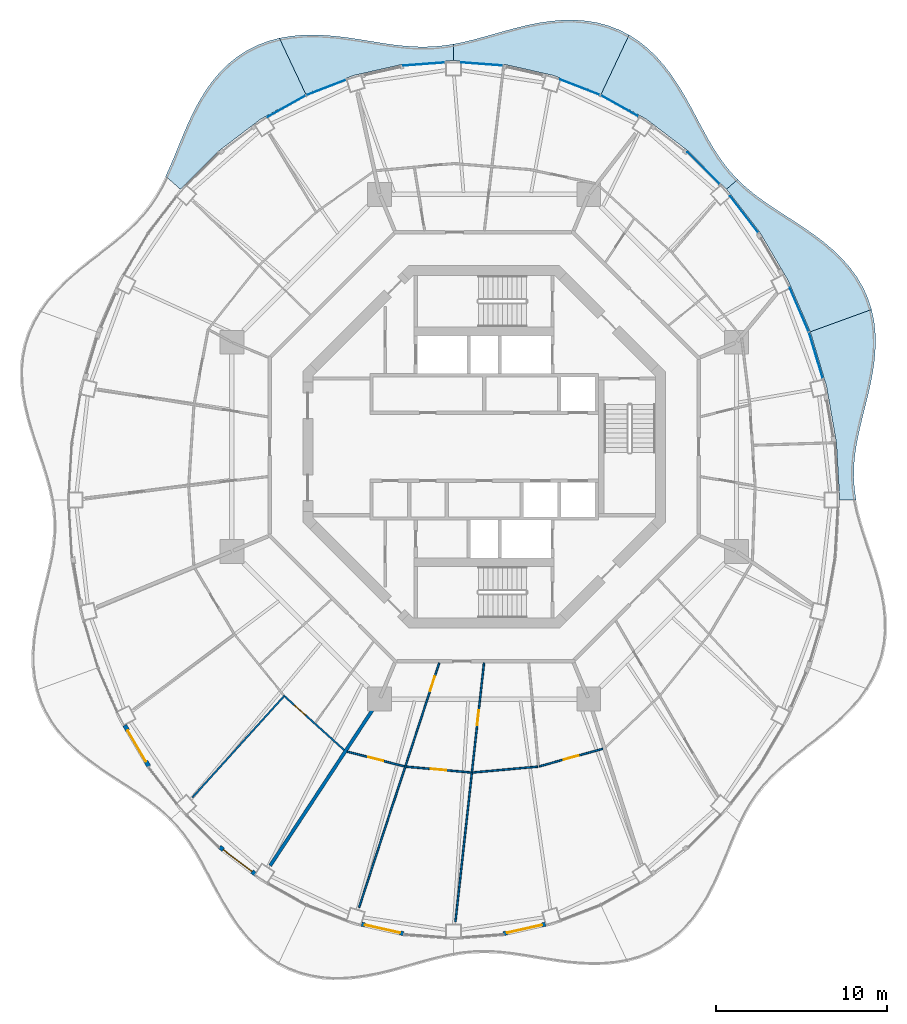
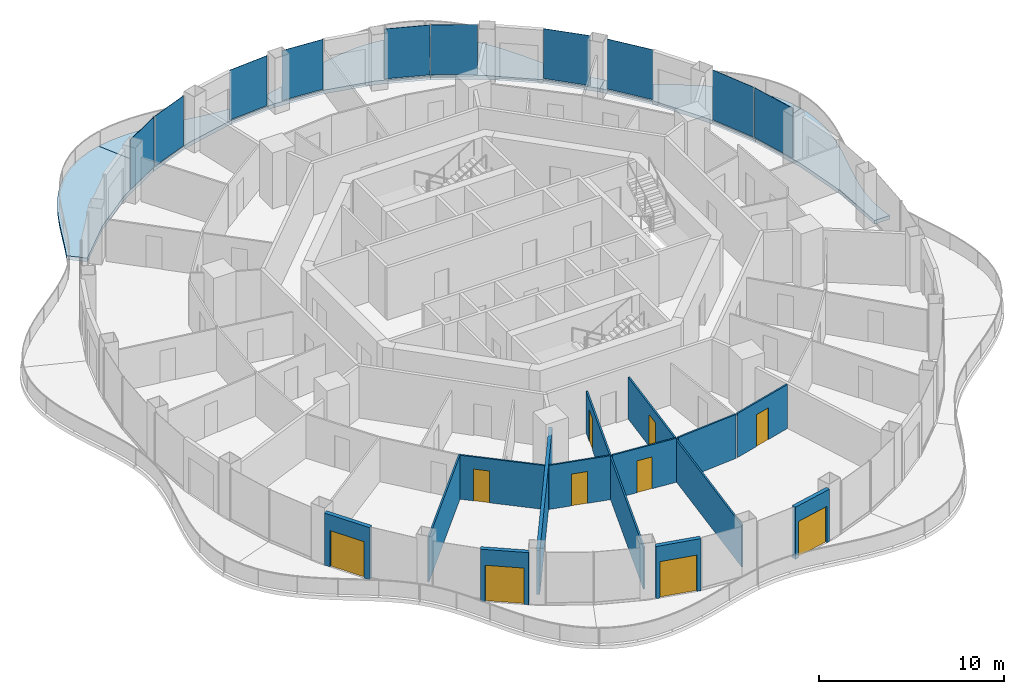
# One storey, part 9 of 17: 13 walls, 10 doors, 10 plates, 6 slabs, 10 openings, 10 elements without a shape of their own.
"""IFC4 building model written with IfcOpenShell, lengths in metres."""

from ifc_helpers import new_model, si_unit, direction, frame, frame_2d, origin, origin_2d, place, context, subcontext, project, spatial, polyline, rectangle, outline, extrude, material, layer, layer_set, type_object, element, fill, aggregate, save


model = new_model("IFC4")

# Units and contexts
model_context = context("Model", 3, precision=1e-05, world=origin(), true_north=direction((0.0, 1.0)))
body_context = subcontext(model_context, "Body", "Model", "MODEL_VIEW")
ifc_project = project(units=[si_unit("LENGTHUNIT", "METRE"), si_unit("AREAUNIT", "SQUARE_METRE"), si_unit("VOLUMEUNIT", "CUBIC_METRE"), si_unit("PLANEANGLEUNIT", "RADIAN"), si_unit("MASSUNIT", "GRAM", prefix="KILO")], contexts=[model_context])

# Site, building, storey
site_placement = place(None, origin())
site = spatial("IfcSite", under=ifc_project, at=site_placement, CompositionType="ELEMENT")
building_placement = place(site_placement, origin())
building = spatial("IfcBuilding", under=site, at=building_placement, Name="Nagisa Residences", CompositionType="ELEMENT")
storey_placement = place(building_placement, frame((0.0, 0.0, 288.10009765625)))
storey = spatial("IfcBuildingStorey", under=building, at=storey_placement, Name="L73", CompositionType="ELEMENT", Elevation=288.10009765625)

# Slabs
ifc_material_1 = material(Name="Concrete C40/50", Category="concrete")
ifc_layer_1 = layer(ifc_material_1, 0.25)
ifc_layer_set_1 = layer_set([ifc_layer_1], Name="BALCONY SLAB 250")
slab_type = type_object("IfcSlabType", Name="BALCONY SLAB 250", PredefinedType="FLOOR", material=ifc_layer_set_1)
slab_1_placement = place(storey_placement, frame((0.0, 0.0, -0.25)))
element("IfcSlab", 1, at=slab_1_placement, inside=storey, type_object=slab_type, Name="slab:L73:bal00", PredefinedType="FLOOR", context=body_context, shape_type="SweptSolid", body=[
    extrude(outline(polyline([(21.779296875, -3.11767578125), (21.686279296875, -2.470947265625), (21.64306640625, -1.8251953125), (21.650146484375, -1.177001953125), (21.70556640625, -0.522705078125), (21.804443359375, 0.141357421875), (21.939453125, 0.8173828125), (22.1005859375, 1.50732421875), (22.276123046875, 2.211181640625), (22.45361328125, 2.9287109375), (22.61962890625, 3.65771484375), (22.76025390625, 4.395263671875), (22.86279296875, 5.136962890625), (22.915771484375, 5.878173828125), (22.908935546875, 6.61279296875), (22.834228515625, 7.3349609375), (22.686767578125, 8.038818359375), (19.09814453125, 6.732666015625), (20.04931640625, 3.544189453125), (20.62646484375, 0.241943359375), (20.820068359375, -3.11767578125), (21.779296875, -3.11767578125)])), origin(), (0.0, 0.0, 1.0), 0.25),
])
slab_2_placement = place(storey_placement, frame((0.0, 0.0, -0.25)))
element("IfcSlab", 2, at=slab_2_placement, inside=storey, type_object=slab_type, Name="slab:L73:bal01", PredefinedType="FLOOR", context=body_context, shape_type="SweptSolid", body=[
    extrude(outline(polyline([(22.686767578125, 8.038818359375), (22.4716796875, 8.6982421875), (22.185791015625, 9.33056640625), (21.831787109375, 9.932373046875), (21.41455078125, 10.50146484375), (20.941162109375, 11.036376953125), (20.419921875, 11.537353515625), (19.861572265625, 12.00634765625), (19.276611328125, 12.44677734375), (18.67626953125, 12.86279296875), (18.07177734375, 13.26025390625), (17.4736328125, 13.64599609375), (16.890869140625, 14.027099609375), (16.331298828125, 14.4111328125), (15.80126953125, 14.8056640625), (15.30419921875, 15.21728515625), (14.84228515625, 15.65234375), (14.19482421875, 15.083251953125), (16.145751953125, 12.5517578125), (17.78955078125, 9.752197265625), (19.09814453125, 6.732666015625), (22.686767578125, 8.038818359375)])), origin(), (0.0, 0.0, 1.0), 0.25),
])
slab_3_placement = place(storey_placement, frame((0.0, 0.0, -0.25)))
element("IfcSlab", 3, at=slab_3_placement, inside=storey, type_object=slab_type, Name="slab:L73:bal02", PredefinedType="FLOOR", context=body_context, shape_type="SweptSolid", body=[
    extrude(outline(polyline([(14.84228515625, 15.65234375), (14.433837890625, 16.0927734375), (14.054443359375, 16.5615234375), (13.700439453125, 17.06005859375), (13.365966796875, 17.58740234375), (13.045166015625, 18.14208984375), (12.73095703125, 18.72021484375), (12.415283203125, 19.316650390625), (12.0908203125, 19.924072265625), (11.75, 20.534912109375), (11.385986328125, 21.139892578125), (10.993408203125, 21.729736328125), (10.567138671875, 22.294189453125), (10.10400390625, 22.823974609375), (9.6025390625, 23.309814453125), (9.0625, 23.74365234375), (8.485107421875, 24.11865234375), (6.856201171875, 20.6630859375), (9.510009765625, 19.173828125), (11.97021484375, 17.30322265625), (14.19482421875, 15.083251953125), (14.84228515625, 15.65234375)])), origin(), (0.0, 0.0, 1.0), 0.25),
])
slab_4_placement = place(storey_placement, frame((0.0, 0.0, -0.25)))
element("IfcSlab", 4, at=slab_4_placement, inside=storey, type_object=slab_type, Name="slab:L73:bal03", PredefinedType="FLOOR", context=body_context, shape_type="SweptSolid", body=[
    extrude(outline(polyline([(8.485107421875, 24.11865234375), (7.89599609375, 24.41943359375), (7.2783203125, 24.65771484375), (6.63671875, 24.832275390625), (5.97607421875, 24.943603515625), (5.302001953125, 24.99462890625), (4.6201171875, 24.9892578125), (3.935791015625, 24.93359375), (3.253662109375, 24.83447265625), (2.57861328125, 24.700927734375), (1.91357421875, 24.5419921875), (1.26123046875, 24.367431640625), (0.623046875, 24.186767578125), (-0.0009765625, 24.009765625), (-0.611572265625, 23.844970703125), (-1.210205078125, 23.7001953125), (-1.800048828125, 23.58154296875), (-1.800048828125, 22.622314453125), (1.152587890625, 22.402099609375), (4.054443359375, 21.745361328125), (6.856201171875, 20.6630859375), (8.485107421875, 24.11865234375)])), origin(), (0.0, 0.0, 1.0), 0.25),
])
slab_5_placement = place(storey_placement, frame((0.0, 0.0, -0.25)))
element("IfcSlab", 5, at=slab_5_placement, inside=storey, type_object=slab_type, Name="slab:L73:bal04", PredefinedType="FLOOR", context=body_context, shape_type="SweptSolid", body=[
    extrude(outline(polyline([(-1.800048828125, 23.58154296875), (-2.3837890625, 23.49365234375), (-2.965576171875, 23.439697265625), (-3.549072265625, 23.420166015625), (-4.137939453125, 23.434326171875), (-4.73583984375, 23.479248046875), (-5.344970703125, 23.55029296875), (-5.968017578125, 23.640625), (-6.60546875, 23.743408203125), (-7.25732421875, 23.849609375), (-7.922607421875, 23.9501953125), (-8.598876953125, 24.03564453125), (-9.28271484375, 24.096435546875), (-9.9697265625, 24.1240234375), (-10.655029296875, 24.110107421875), (-11.332763671875, 24.048095703125), (-11.997314453125, 23.93212890625), (-10.456298828125, 20.6630859375), (-7.654541015625, 21.745361328125), (-4.75244140625, 22.402099609375), (-1.800048828125, 22.622314453125), (-1.800048828125, 23.58154296875)])), origin(), (0.0, 0.0, 1.0), 0.25),
])
slab_6_placement = place(storey_placement, frame((0.0, 0.0, -0.25)))
element("IfcSlab", 6, at=slab_6_placement, inside=storey, type_object=slab_type, Name="slab:L73:bal05", PredefinedType="FLOOR", context=body_context, shape_type="SweptSolid", body=[
    extrude(outline(polyline([(-11.997314453125, 23.93212890625), (-12.666259765625, 23.751220703125), (-13.30810546875, 23.505615234375), (-13.91748046875, 23.1953125), (-14.489501953125, 22.822021484375), (-15.0205078125, 22.389404296875), (-15.5087890625, 21.902587890625), (-15.953857421875, 21.36865234375), (-16.356689453125, 20.795166015625), (-16.719970703125, 20.19140625), (-17.048095703125, 19.566162109375), (-17.346923828125, 18.9287109375), (-17.622802734375, 18.2880859375), (-17.8837890625, 17.652587890625), (-18.1376953125, 17.029052734375), (-18.392822265625, 16.423828125), (-18.6572265625, 15.84130859375), (-17.794677734375, 15.083251953125), (-15.570068359375, 17.30322265625), (-13.110107421875, 19.173828125), (-10.456298828125, 20.6630859375), (-11.997314453125, 23.93212890625)])), origin(), (0.0, 0.0, 1.0), 0.25),
])

# Curtain wall, plate
ifc_material_2 = material(Name="Concrete-coloured aluminium curtain wall system", Category="concrete")
ifc_layer_2 = layer(ifc_material_2, 0.159912109375)
ifc_layer_set_2 = layer_set([ifc_layer_2], Name="CW1 CURTAIN WALL")
curtain_wall_type = type_object("IfcCurtainWallType", Name="CW1 CURTAIN WALL", PredefinedType="NOTDEFINED", material=ifc_layer_set_2)
curtain_wall_1_placement = place(storey_placement, origin())
curtain_wall_1 = element("IfcCurtainWall", 7, at=curtain_wall_1_placement, inside=storey, type_object=curtain_wall_type, Name="cw:CW1:L73:02", PredefinedType="NOTDEFINED")
ifc_material_3 = material(Name="Clear laminated glass", Category="glass")
ifc_layer_3 = layer(ifc_material_3, 0.028076171875)
ifc_layer_set_3 = layer_set([ifc_layer_3], Name="CW1 GLASS PANEL")
plate_type = type_object("IfcPlateType", Name="CW1 GLASS PANEL", PredefinedType="CURTAIN_PANEL", material=ifc_layer_set_3)
plate_1_placement = place(storey_placement, frame((19.424072265625, 5.35986328125, 0.14990234375), z_axis=(0.0, 0.0, 1.0), x_axis=(-0.285860274038, 0.958271310082, 0.0)))
plate_1 = element("IfcPlate", 8, at=plate_1_placement, type_object=plate_type, Name="CW1 panel", PredefinedType="CURTAIN_PANEL", context=body_context, shape_type="SweptSolid", body=[
    extrude(rectangle(XDim=2.817138671875, YDim=0.028076171875, at=origin_2d()), origin(), (0.0, 0.0, 1.0), 3.2900390625),
])
aggregate(curtain_wall_1, [plate_1])

curtain_wall_2_placement = place(storey_placement, origin())
curtain_wall_2 = element("IfcCurtainWall", 9, at=curtain_wall_2_placement, inside=storey, type_object=curtain_wall_type, Name="cw:CW1:L73:03", PredefinedType="NOTDEFINED")
plate_2_placement = place(storey_placement, frame((18.447998046875, 8.03173828125, 0.14990234375), z_axis=(0.0, 0.0, 1.0), x_axis=(-0.397635934147, 0.917543276295, 0.0)))
plate_2 = element("IfcPlate", 10, at=plate_2_placement, type_object=plate_type, Name="CW1 panel", PredefinedType="CURTAIN_PANEL", context=body_context, shape_type="SweptSolid", body=[
    extrude(rectangle(XDim=2.781005859375, YDim=0.028076171875, at=origin_2d()), origin(), (0.0, 0.0, 1.0), 3.2900390625),
])
aggregate(curtain_wall_2, [plate_2])

curtain_wall_3_placement = place(storey_placement, origin())
curtain_wall_3 = element("IfcCurtainWall", 11, at=curtain_wall_3_placement, inside=storey, type_object=curtain_wall_type, Name="cw:CW1:L73:05", PredefinedType="NOTDEFINED")
plate_3_placement = place(storey_placement, frame((15.225830078125, 13.6142578125, 0.14990234375), z_axis=(0.0, 0.0, 1.0), x_axis=(-0.610429828235, 0.792070340816, 0.0)))
plate_3 = element("IfcPlate", 12, at=plate_3_placement, type_object=plate_type, Name="CW1 panel", PredefinedType="CURTAIN_PANEL", context=body_context, shape_type="SweptSolid", body=[
    extrude(rectangle(XDim=2.68603515625, YDim=0.028076171875, at=origin_2d()), origin(), (0.0, 0.0, 1.0), 3.2900390625),
])
aggregate(curtain_wall_3, [plate_3])

curtain_wall_4_placement = place(storey_placement, origin())
curtain_wall_4 = element("IfcCurtainWall", 13, at=curtain_wall_4_placement, inside=storey, type_object=curtain_wall_type, Name="cw:CW1:L73:06", PredefinedType="NOTDEFINED")
plate_4_placement = place(storey_placement, frame((12.845458984375, 16.316650390625, 0.14990234375), z_axis=(0.0, 0.0, 1.0), x_axis=(-0.707835924016, 0.706376885714, 0.0)))
plate_4 = element("IfcPlate", 14, at=plate_4_placement, type_object=plate_type, Name="CW1 panel", PredefinedType="CURTAIN_PANEL", context=body_context, shape_type="SweptSolid", body=[
    extrude(rectangle(XDim=2.6328125, YDim=0.028076171875, at=origin_2d()), origin(), (0.0, 0.0, 1.0), 3.2900390625),
])
aggregate(curtain_wall_4, [plate_4])

curtain_wall_5_placement = place(storey_placement, origin())
curtain_wall_5 = element("IfcCurtainWall", 15, at=curtain_wall_5_placement, inside=storey, type_object=curtain_wall_type, Name="cw:CW1:L73:08", PredefinedType="NOTDEFINED")
plate_5_placement = place(storey_placement, frame((7.921630859375, 19.973388671875, 0.14990234375), z_axis=(0.0, 0.0, 1.0), x_axis=(-0.872072377523, 0.489376918501, 0.0)))
plate_5 = element("IfcPlate", 16, at=plate_5_placement, type_object=plate_type, Name="CW1 panel", PredefinedType="CURTAIN_PANEL", context=body_context, shape_type="SweptSolid", body=[
    extrude(rectangle(XDim=2.532958984375, YDim=0.028076171875, at=origin_2d()), origin(), (0.0, 0.0, 1.0), 3.2900390625),
])
aggregate(curtain_wall_5, [plate_5])

curtain_wall_6_placement = place(storey_placement, origin())
curtain_wall_6 = element("IfcCurtainWall", 17, at=curtain_wall_6_placement, inside=storey, type_object=curtain_wall_type, Name="cw:CW1:L73:09", PredefinedType="NOTDEFINED")
plate_6_placement = place(storey_placement, frame((5.6083984375, 21.059326171875, 0.14990234375), z_axis=(0.0, 0.0, 1.0), x_axis=(-0.932825759707, 0.360327770268, 0.0)))
plate_6 = element("IfcPlate", 18, at=plate_6_placement, type_object=plate_type, Name="CW1 panel", PredefinedType="CURTAIN_PANEL", context=body_context, shape_type="SweptSolid", body=[
    extrude(rectangle(XDim=2.49365234375, YDim=0.028076171875, at=origin_2d()), origin(), (0.0, 0.0, 1.0), 3.2900390625),
])
aggregate(curtain_wall_6, [plate_6])

curtain_wall_7_placement = place(storey_placement, origin())
curtain_wall_7 = element("IfcCurtainWall", 19, at=curtain_wall_7_placement, inside=storey, type_object=curtain_wall_type, Name="cw:CW1:L73:11", PredefinedType="NOTDEFINED")
plate_7_placement = place(storey_placement, frame((-0.13525390625, 22.41796875, 0.14990234375), z_axis=(0.0, 0.0, 1.0), x_axis=(-0.997230168512, 0.074377355493, 0.0)))
plate_7 = element("IfcPlate", 20, at=plate_7_placement, type_object=plate_type, Name="CW1 panel", PredefinedType="CURTAIN_PANEL", context=body_context, shape_type="SweptSolid", body=[
    extrude(rectangle(XDim=2.45068359375, YDim=0.028076171875, at=origin_2d()), origin(), (0.0, 0.0, 1.0), 3.2900390625),
])
aggregate(curtain_wall_7, [plate_7])

curtain_wall_8_placement = place(storey_placement, origin())
curtain_wall_8 = element("IfcCurtainWall", 21, at=curtain_wall_8_placement, inside=storey, type_object=curtain_wall_type, Name="cw:CW1:L73:12", PredefinedType="NOTDEFINED")
plate_8_placement = place(storey_placement, frame((-3.524658203125, 22.41357421875, 0.14990234375), z_axis=(0.0, 0.0, 1.0), x_axis=(-0.997230168512, -0.074377355493, 0.0)))
plate_8 = element("IfcPlate", 22, at=plate_8_placement, type_object=plate_type, Name="CW1 panel", PredefinedType="CURTAIN_PANEL", context=body_context, shape_type="SweptSolid", body=[
    extrude(rectangle(XDim=2.45068359375, YDim=0.028076171875, at=origin_2d()), origin(), (0.0, 0.0, 1.0), 3.2900390625),
])
aggregate(curtain_wall_8, [plate_8])

curtain_wall_9_placement = place(storey_placement, origin())
curtain_wall_9 = element("IfcCurtainWall", 23, at=curtain_wall_9_placement, inside=storey, type_object=curtain_wall_type, Name="cw:CW1:L73:14", PredefinedType="NOTDEFINED")
plate_9_placement = place(storey_placement, frame((-9.264404296875, 21.03759765625, 0.14990234375), z_axis=(0.0, 0.0, 1.0), x_axis=(-0.932825759707, -0.360327770268, 0.0)))
plate_9 = element("IfcPlate", 24, at=plate_9_placement, type_object=plate_type, Name="CW1 panel", PredefinedType="CURTAIN_PANEL", context=body_context, shape_type="SweptSolid", body=[
    extrude(rectangle(XDim=2.49365234375, YDim=0.028076171875, at=origin_2d()), origin(), (0.0, 0.0, 1.0), 3.2900390625),
])
aggregate(curtain_wall_9, [plate_9])

curtain_wall_10_placement = place(storey_placement, origin())
curtain_wall_10 = element("IfcCurtainWall", 25, at=curtain_wall_10_placement, inside=storey, type_object=curtain_wall_type, Name="cw:CW1:L73:15", PredefinedType="NOTDEFINED")
plate_10_placement = place(storey_placement, frame((-11.573974609375, 19.944091796875, 0.14990234375), z_axis=(0.0, 0.0, 1.0), x_axis=(-0.872072377523, -0.489376918501, 0.0)))
plate_10 = element("IfcPlate", 26, at=plate_10_placement, type_object=plate_type, Name="CW1 panel", PredefinedType="CURTAIN_PANEL", context=body_context, shape_type="SweptSolid", body=[
    extrude(rectangle(XDim=2.532958984375, YDim=0.028076171875, at=origin_2d()), origin(), (0.0, 0.0, 1.0), 3.2900390625),
])
aggregate(curtain_wall_10, [plate_10])

# Walls
ifc_material_4 = material(Name="Gypsum board on steel studs", Category="steel")
ifc_layer_4 = layer(ifc_material_4, 0.199951171875)
ifc_layer_set_4 = layer_set([ifc_layer_4], Name="Apartment compartment wall EI60 200")
wall_type_1 = type_object("IfcWallType", Name="Apartment compartment wall EI60 200", PredefinedType="PARTITIONING", material=ifc_layer_set_4)
wall_1_placement = place(storey_placement, frame((-6.150634765625, -14.82373046875, 0.0), z_axis=(0.0, 0.0, 1.0), x_axis=(-0.549345577828, -0.835595258556, 0.0)))
element("IfcWall", 27, at=wall_1_placement, inside=storey, type_object=wall_type_1, Name="wall:L73:u09", PredefinedType="PARTITIONING", context=body_context, shape_type="SweptSolid", body=[
    extrude(rectangle(XDim=11.619873046875, YDim=0.199951171875, at=frame_2d((5.81005859375, 0.0))), origin(), (0.0, 0.0, 1.0), 2.90478515625),
])
ifc_material_5 = material(Name="Gypsum board on steel studs", Category="steel")
ifc_layer_5 = layer(ifc_material_5, 0.10009765625)
ifc_layer_set_5 = layer_set([ifc_layer_5], Name="Apartment partition 100")
wall_type_2 = type_object("IfcWallType", Name="Apartment partition 100", PredefinedType="PARTITIONING", material=ifc_layer_set_5)
wall_2_placement = place(storey_placement, frame((-11.67919921875, -14.55712890625, 0.0), z_axis=(0.0, 0.0, 1.0), x_axis=(-0.670800011545, -0.741638284146, 0.0)))
element("IfcWall", 28, at=wall_2_placement, inside=storey, type_object=wall_type_2, Name="wall:L73:u54", PredefinedType="PARTITIONING", context=body_context, shape_type="SweptSolid", body=[
    extrude(rectangle(XDim=8.068115234375, YDim=0.10009765625, at=frame_2d((4.0341796875, 0.0))), origin(), (0.0, 0.0, 1.0), 2.90478515625),
])

# Wall, opening, door
wall_3_placement = place(storey_placement, frame((-11.675537109375, -14.627685546875, 0.0), z_axis=(0.0, 0.0, 1.0), x_axis=(0.74245829867, -0.669892285921, 0.0)))
wall_3 = element("IfcWall", 29, at=wall_3_placement, inside=storey, type_object=wall_type_2, Name="wall:L73:u55", PredefinedType="PARTITIONING", context=body_context, shape_type="SweptSolid", body=[
    extrude(rectangle(XDim=4.679931640625, YDim=0.10009765625, at=frame_2d((2.33984375, 0.0))), origin(), (0.0, 0.0, 1.0), 2.90478515625),
])
opening_1_placement = place(wall_3_placement, frame((0.732421875, 0.0, 0.0)))
opening_1 = element("IfcOpeningElement", 30, at=opening_1_placement, cuts=wall_3, Name="Opening L73-U06", PredefinedType="OPENING", context=body_context, shape_type="SweptSolid", body=[
    extrude(rectangle(XDim=0.89990234375, YDim=2.10009765625, at=frame_2d((0.449951171875, 1.050048828125))), frame((0.0, 0.06005859375, 0.0), z_axis=(0.0, -1.0, 0.0), x_axis=(1.0, 0.0, 0.0)), (0.0, 0.0, 1.0), 0.1201171875),
])
ifc_material_6 = material(Name="Timber door set", Category="wood")
door_type_1 = type_object("IfcDoorType", Name="Apartment door 900x2100", OperationType="NOTDEFINED", PredefinedType="DOOR", material=ifc_material_6)
door_1_placement = place(opening_1_placement, frame((0.89990234375, 0.0, 0.0), x_axis=(-1.0, 0.0, 0.0)))
door_1 = element("IfcDoor", 31, at=door_1_placement, inside=storey, type_object=door_type_1, Name="Door to living room, Apartment 73A", OperationType="SINGLE_SWING_LEFT", OverallHeight=2.10009765625, OverallWidth=0.89990234375, PredefinedType="DOOR", context=body_context, shape_type="SweptSolid", body=[
    extrude(rectangle(XDim=0.89990234375, YDim=2.10009765625, at=frame_2d((0.449951171875, 1.050048828125))), frame((0.0, 0.02490234375, 0.0), z_axis=(0.0, -1.0, 0.0), x_axis=(1.0, 0.0, 0.0)), (0.0, 0.0, 1.0), 0.050048828125),
])
fill(opening_1, door_1)

wall_4_placement = place(storey_placement, frame((-8.02978515625, -17.8544921875, 0.0), z_axis=(0.0, 0.0, 1.0), x_axis=(0.968441967324, -0.249239154077, 0.0)))
wall_4 = element("IfcWall", 32, at=wall_4_placement, inside=storey, type_object=wall_type_2, Name="wall:L73:u57", PredefinedType="PARTITIONING", context=body_context, shape_type="SweptSolid", body=[
    extrude(rectangle(XDim=3.467529296875, YDim=0.10009765625, at=frame_2d((1.73388671875, 0.0))), origin(), (0.0, 0.0, 1.0), 2.90478515625),
])
opening_2_placement = place(wall_4_placement, frame((1.28369140625, 0.0, 0.0)))
opening_2 = element("IfcOpeningElement", 33, at=opening_2_placement, cuts=wall_4, Name="Opening L73-U11", PredefinedType="OPENING", context=body_context, shape_type="SweptSolid", body=[
    extrude(rectangle(XDim=0.89990234375, YDim=2.10009765625, at=frame_2d((0.449951171875, 1.050048828125))), frame((0.0, 0.06005859375, 0.0), z_axis=(0.0, -1.0, 0.0), x_axis=(1.0, 0.0, 0.0)), (0.0, 0.0, 1.0), 0.1201171875),
])
door_2_placement = place(opening_2_placement, frame((0.89990234375, 0.0, 0.0), x_axis=(-1.0, 0.0, 0.0)))
door_2 = element("IfcDoor", 34, at=door_2_placement, inside=storey, type_object=door_type_1, Name="Door to kitchen, Apartment 73B", OperationType="SINGLE_SWING_RIGHT", OverallHeight=2.10009765625, OverallWidth=0.89990234375, PredefinedType="DOOR", context=body_context, shape_type="SweptSolid", body=[
    extrude(rectangle(XDim=0.89990234375, YDim=2.10009765625, at=frame_2d((0.449951171875, 1.050048828125))), frame((0.0, 0.02490234375, 0.0), z_axis=(0.0, -1.0, 0.0), x_axis=(1.0, 0.0, 0.0)), (0.0, 0.0, 1.0), 0.050048828125),
])
fill(opening_2, door_2)

wall_5_placement = place(storey_placement, frame((-2.63330078125, -12.65966796875, 0.0), z_axis=(0.0, 0.0, 1.0), x_axis=(-0.311432955908, -0.950268127412, 0.0)))
wall_5 = element("IfcWall", 35, at=wall_5_placement, inside=storey, type_object=wall_type_2, Name="wall:L73:u58", PredefinedType="PARTITIONING", context=body_context, shape_type="SweptSolid", body=[
    extrude(rectangle(XDim=15.07421875, YDim=0.10009765625, at=frame_2d((7.537109375, 0.0))), origin(), (0.0, 0.0, 1.0), 2.761962890625),
])
opening_3_placement = place(wall_5_placement, frame((0.828857421875, 0.0, 0.0)))
opening_3 = element("IfcOpeningElement", 36, at=opening_3_placement, cuts=wall_5, Name="Opening L73-U08", PredefinedType="OPENING", context=body_context, shape_type="SweptSolid", body=[
    extrude(rectangle(XDim=0.89990234375, YDim=2.10009765625, at=frame_2d((0.449951171875, 1.050048828125))), frame((0.0, 0.06005859375, 0.0), z_axis=(0.0, -1.0, 0.0), x_axis=(1.0, 0.0, 0.0)), (0.0, 0.0, 1.0), 0.1201171875),
])
door_3_placement = place(opening_3_placement, frame((0.89990234375, 0.0, 0.0), x_axis=(-1.0, 0.0, 0.0)))
door_3 = element("IfcDoor", 37, at=door_3_placement, inside=storey, type_object=door_type_1, Name="Door to store, Apartment 73B", OperationType="SINGLE_SWING_LEFT", OverallHeight=2.10009765625, OverallWidth=0.89990234375, PredefinedType="DOOR", context=body_context, shape_type="SweptSolid", body=[
    extrude(rectangle(XDim=0.89990234375, YDim=2.10009765625, at=frame_2d((0.449951171875, 1.050048828125))), frame((0.0, 0.02490234375, 0.0), z_axis=(0.0, -1.0, 0.0), x_axis=(1.0, 0.0, 0.0)), (0.0, 0.0, 1.0), 0.050048828125),
])
fill(opening_3, door_3)

wall_6_placement = place(storey_placement, frame((-4.5732421875, -18.735595703125, 0.0), z_axis=(0.0, 0.0, 1.0), x_axis=(0.995986472869, -0.089503887414, 0.0)))
wall_6 = element("IfcWall", 38, at=wall_6_placement, inside=storey, type_object=wall_type_2, Name="wall:L73:u59", PredefinedType="PARTITIONING", context=body_context, shape_type="SweptSolid", body=[
    extrude(rectangle(XDim=3.81884765625, YDim=0.10009765625, at=frame_2d((1.909423828125, 0.0))), origin(), (0.0, 0.0, 1.0), 2.90478515625),
])
opening_4_placement = place(wall_6_placement, frame((1.45947265625, 0.0, 0.0)))
opening_4 = element("IfcOpeningElement", 39, at=opening_4_placement, cuts=wall_6, Name="Opening L73-U12", PredefinedType="OPENING", context=body_context, shape_type="SweptSolid", body=[
    extrude(rectangle(XDim=0.89990234375, YDim=2.10009765625, at=frame_2d((0.449951171875, 1.050048828125))), frame((0.0, 0.06005859375, 0.0), z_axis=(0.0, -1.0, 0.0), x_axis=(1.0, 0.0, 0.0)), (0.0, 0.0, 1.0), 0.1201171875),
])
door_4_placement = place(opening_4_placement, frame((0.89990234375, 0.0, 0.0), x_axis=(-1.0, 0.0, 0.0)))
door_4 = element("IfcDoor", 40, at=door_4_placement, inside=storey, type_object=door_type_1, Name="Door to master bedroom, Apartment 73B", OperationType="SINGLE_SWING_LEFT", OverallHeight=2.10009765625, OverallWidth=0.89990234375, PredefinedType="DOOR", context=body_context, shape_type="SweptSolid", body=[
    extrude(rectangle(XDim=0.89990234375, YDim=2.10009765625, at=frame_2d((0.449951171875, 1.050048828125))), frame((0.0, 0.02490234375, 0.0), z_axis=(0.0, -1.0, 0.0), x_axis=(1.0, 0.0, 0.0)), (0.0, 0.0, 1.0), 0.050048828125),
])
fill(opening_4, door_4)

wall_7_placement = place(storey_placement, frame((-0.010986328125, -12.6640625, 0.0), z_axis=(0.0, 0.0, 1.0), x_axis=(-0.109805889692, -0.993953050495, 0.0)))
wall_7 = element("IfcWall", 41, at=wall_7_placement, inside=storey, type_object=wall_type_2, Name="wall:L73:u60", PredefinedType="PARTITIONING", context=body_context, shape_type="SweptSolid", body=[
    extrude(rectangle(XDim=15.248046875, YDim=0.10009765625, at=frame_2d((7.6240234375, 0.0))), origin(), (0.0, 0.0, 1.0), 2.761962890625),
])
opening_5_placement = place(wall_7_placement, frame((2.7783203125, 0.0, 0.0)))
opening_5 = element("IfcOpeningElement", 42, at=opening_5_placement, cuts=wall_7, Name="Opening L73-U09", PredefinedType="OPENING", context=body_context, shape_type="SweptSolid", body=[
    extrude(rectangle(XDim=0.89990234375, YDim=2.10009765625, at=frame_2d((0.449951171875, 1.050048828125))), frame((0.0, 0.06005859375, 0.0), z_axis=(0.0, -1.0, 0.0), x_axis=(1.0, 0.0, 0.0)), (0.0, 0.0, 1.0), 0.1201171875),
])
door_5_placement = place(opening_5_placement, origin())
door_5 = element("IfcDoor", 43, at=door_5_placement, inside=storey, type_object=door_type_1, Name="Door to family bathroom, Apartment 73B", OperationType="SINGLE_SWING_LEFT", OverallHeight=2.10009765625, OverallWidth=0.89990234375, PredefinedType="DOOR", context=body_context, shape_type="SweptSolid", body=[
    extrude(rectangle(XDim=0.89990234375, YDim=2.10009765625, at=frame_2d((0.449951171875, 1.050048828125))), frame((0.0, 0.02490234375, 0.0), z_axis=(0.0, -1.0, 0.0), x_axis=(1.0, 0.0, 0.0)), (0.0, 0.0, 1.0), 0.050048828125),
])
fill(opening_5, door_5)

# Wall
wall_8_placement = place(storey_placement, frame((-0.670166015625, -19.077392578125, 0.0), z_axis=(0.0, 0.0, 1.0), x_axis=(0.995986472869, 0.089503887414, 0.0)))
element("IfcWall", 44, at=wall_8_placement, inside=storey, type_object=wall_type_2, Name="wall:L73:u61", PredefinedType="PARTITIONING", context=body_context, shape_type="SweptSolid", body=[
    extrude(rectangle(XDim=3.81884765625, YDim=0.10009765625, at=frame_2d((1.909423828125, 0.0))), origin(), (0.0, 0.0, 1.0), 2.90478515625),
])

# Wall, opening, door
wall_9_placement = place(storey_placement, frame((3.231201171875, -18.7177734375, 0.0), z_axis=(0.0, 0.0, 1.0), x_axis=(0.963606817151, 0.267323590318, 0.0)))
wall_9 = element("IfcWall", 45, at=wall_9_placement, inside=storey, type_object=wall_type_2, Name="wall:L73:u63", PredefinedType="PARTITIONING", context=body_context, shape_type="SweptSolid", body=[
    extrude(rectangle(XDim=3.85302734375, YDim=0.10009765625, at=frame_2d((1.926513671875, 0.0))), origin(), (0.0, 0.0, 1.0), 2.90478515625),
])
opening_6_placement = place(wall_9_placement, frame((1.4765625, 0.0, 0.0)))
opening_6 = element("IfcOpeningElement", 46, at=opening_6_placement, cuts=wall_9, Name="Opening L73-U13", PredefinedType="OPENING", context=body_context, shape_type="SweptSolid", body=[
    extrude(rectangle(XDim=0.89990234375, YDim=2.10009765625, at=frame_2d((0.449951171875, 1.050048828125))), frame((0.0, 0.06005859375, 0.0), z_axis=(0.0, -1.0, 0.0), x_axis=(1.0, 0.0, 0.0)), (0.0, 0.0, 1.0), 0.1201171875),
])
door_6_placement = place(opening_6_placement, frame((0.89990234375, 0.0, 0.0), x_axis=(-1.0, 0.0, 0.0)))
door_6 = element("IfcDoor", 47, at=door_6_placement, inside=storey, type_object=door_type_1, Name="Door to family room, Apartment 73B", OperationType="SINGLE_SWING_RIGHT", OverallHeight=2.10009765625, OverallWidth=0.89990234375, PredefinedType="DOOR", context=body_context, shape_type="SweptSolid", body=[
    extrude(rectangle(XDim=0.89990234375, YDim=2.10009765625, at=frame_2d((0.449951171875, 1.050048828125))), frame((0.0, 0.02490234375, 0.0), z_axis=(0.0, -1.0, 0.0), x_axis=(1.0, 0.0, 0.0)), (0.0, 0.0, 1.0), 0.050048828125),
])
fill(opening_6, door_6)

ifc_material_7 = material(Name="Precast concrete C40/50", Category="concrete")
ifc_layer_6 = layer(ifc_material_7, 0.25)
ifc_layer_set_6 = layer_set([ifc_layer_6], Name="BALCONY DOOR WALL 250")
wall_type_3 = type_object("IfcWallType", Name="BALCONY DOOR WALL 250", PredefinedType="SOLIDWALL", material=ifc_layer_set_6)
wall_10_placement = place(storey_placement, frame((-19.637939453125, -18.723876953125, 0.0), z_axis=(0.0, 0.0, 1.0), x_axis=(-0.506371364425, 0.862315511452, 0.0)))
wall_10 = element("IfcWall", 48, at=wall_10_placement, inside=storey, type_object=wall_type_3, Name="wall:L73:bay28", PredefinedType="SOLIDWALL", context=body_context, shape_type="SweptSolid", body=[
    extrude(rectangle(XDim=2.79638671875, YDim=0.25, at=frame_2d((1.398193359375, 0.0))), origin(), (0.0, 0.0, 1.0), 3.43994140625),
])
opening_7_placement = place(wall_10_placement, frame((0.34814453125, 0.0, 0.0)))
opening_7 = element("IfcOpeningElement", 49, at=opening_7_placement, cuts=wall_10, Name="Opening BD-L73-10", PredefinedType="OPENING", context=body_context, shape_type="SweptSolid", body=[
    extrude(rectangle(XDim=2.10009765625, YDim=2.39990234375, at=frame_2d((1.050048828125, 1.199951171875))), frame((0.0, 0.135009765625, 0.0), z_axis=(0.0, -1.0, 0.0), x_axis=(1.0, 0.0, 0.0)), (0.0, 0.0, 1.0), 0.27001953125),
])
ifc_material_8 = material(Name="Aluminium and clear glass", Category="aluminium")
door_type_2 = type_object("IfcDoorType", Name="BALCONY SLIDING DOOR 2100x2400", OperationType="SLIDING_TO_LEFT", PredefinedType="DOOR", material=ifc_material_8)
door_7_placement = place(opening_7_placement, origin())
door_7 = element("IfcDoor", 50, at=door_7_placement, inside=storey, type_object=door_type_2, Name="door:L73:bay28", OperationType="SLIDING_TO_LEFT", OverallHeight=2.39990234375, OverallWidth=2.10009765625, PredefinedType="DOOR", context=body_context, shape_type="SweptSolid", body=[
    extrude(rectangle(XDim=2.10009765625, YDim=2.39990234375, at=frame_2d((1.050048828125, 1.199951171875))), frame((0.0, 0.02490234375, 0.0), z_axis=(0.0, -1.0, 0.0), x_axis=(1.0, 0.0, 0.0)), (0.0, 0.0, 1.0), 0.050048828125),
])
fill(opening_7, door_7)

wall_11_placement = place(storey_placement, frame((-13.392578125, -25.037353515625, 0.0), z_axis=(0.0, 0.0, 1.0), x_axis=(-0.796055284084, 0.605223912847, 0.0)))
wall_11 = element("IfcWall", 51, at=wall_11_placement, inside=storey, type_object=wall_type_3, Name="wall:L73:bay31", PredefinedType="SOLIDWALL", context=body_context, shape_type="SweptSolid", body=[
    extrude(rectangle(XDim=2.640625, YDim=0.25, at=frame_2d((1.3203125, 0.0))), origin(), (0.0, 0.0, 1.0), 3.43994140625),
])
opening_8_placement = place(wall_11_placement, frame((0.270263671875, 0.0, 0.0)))
opening_8 = element("IfcOpeningElement", 52, at=opening_8_placement, cuts=wall_11, Name="Opening BD-L73-11", PredefinedType="OPENING", context=body_context, shape_type="SweptSolid", body=[
    extrude(rectangle(XDim=2.10009765625, YDim=2.39990234375, at=frame_2d((1.050048828125, 1.199951171875))), frame((0.0, 0.135009765625, 0.0), z_axis=(0.0, -1.0, 0.0), x_axis=(1.0, 0.0, 0.0)), (0.0, 0.0, 1.0), 0.27001953125),
])
door_8_placement = place(opening_8_placement, origin())
door_8 = element("IfcDoor", 53, at=door_8_placement, inside=storey, type_object=door_type_2, Name="door:L73:bay31", OperationType="SLIDING_TO_LEFT", OverallHeight=2.39990234375, OverallWidth=2.10009765625, PredefinedType="DOOR", context=body_context, shape_type="SweptSolid", body=[
    extrude(rectangle(XDim=2.10009765625, YDim=2.39990234375, at=frame_2d((1.050048828125, 1.199951171875))), frame((0.0, 0.02490234375, 0.0), z_axis=(0.0, -1.0, 0.0), x_axis=(1.0, 0.0, 0.0)), (0.0, 0.0, 1.0), 0.050048828125),
])
fill(opening_8, door_8)

wall_12_placement = place(storey_placement, frame((-4.724853515625, -28.515625, 0.0), z_axis=(0.0, 0.0, 1.0), x_axis=(-0.975319584032, 0.220797891756, 0.0)))
wall_12 = element("IfcWall", 54, at=wall_12_placement, inside=storey, type_object=wall_type_3, Name="wall:L73:bay34", PredefinedType="SOLIDWALL", context=body_context, shape_type="SweptSolid", body=[
    extrude(rectangle(XDim=2.525390625, YDim=0.25, at=frame_2d((1.2626953125, 0.0))), origin(), (0.0, 0.0, 1.0), 3.43994140625),
])
opening_9_placement = place(wall_12_placement, frame((0.212646484375, 0.0, 0.0)))
opening_9 = element("IfcOpeningElement", 55, at=opening_9_placement, cuts=wall_12, Name="Opening BD-L73-12", PredefinedType="OPENING", context=body_context, shape_type="SweptSolid", body=[
    extrude(rectangle(XDim=2.10009765625, YDim=2.39990234375, at=frame_2d((1.050048828125, 1.199951171875))), frame((0.0, 0.135009765625, 0.0), z_axis=(0.0, -1.0, 0.0), x_axis=(1.0, 0.0, 0.0)), (0.0, 0.0, 1.0), 0.27001953125),
])
door_9_placement = place(opening_9_placement, origin())
door_9 = element("IfcDoor", 56, at=door_9_placement, inside=storey, type_object=door_type_2, Name="door:L73:bay34", OperationType="SLIDING_TO_LEFT", OverallHeight=2.39990234375, OverallWidth=2.10009765625, PredefinedType="DOOR", context=body_context, shape_type="SweptSolid", body=[
    extrude(rectangle(XDim=2.10009765625, YDim=2.39990234375, at=frame_2d((1.050048828125, 1.199951171875))), frame((0.0, 0.02490234375, 0.0), z_axis=(0.0, -1.0, 0.0), x_axis=(1.0, 0.0, 0.0)), (0.0, 0.0, 1.0), 0.050048828125),
])
fill(opening_9, door_9)

wall_13_placement = place(storey_placement, frame((3.587890625, -27.9580078125, 0.0), z_axis=(0.0, 0.0, 1.0), x_axis=(-0.97531487046, -0.22081871175, 0.0)))
wall_13 = element("IfcWall", 57, at=wall_13_placement, inside=storey, type_object=wall_type_3, Name="wall:L73:bay37", PredefinedType="SOLIDWALL", context=body_context, shape_type="SweptSolid", body=[
    extrude(rectangle(XDim=2.525146484375, YDim=0.25, at=frame_2d((1.2626953125, 0.0))), origin(), (0.0, 0.0, 1.0), 3.43994140625),
])
opening_10_placement = place(wall_13_placement, frame((0.212646484375, 0.0, 0.0)))
opening_10 = element("IfcOpeningElement", 58, at=opening_10_placement, cuts=wall_13, Name="Opening BD-L73-13", PredefinedType="OPENING", context=body_context, shape_type="SweptSolid", body=[
    extrude(rectangle(XDim=2.10009765625, YDim=2.39990234375, at=frame_2d((1.050048828125, 1.199951171875))), frame((0.0, 0.135009765625, 0.0), z_axis=(0.0, -1.0, 0.0), x_axis=(1.0, 0.0, 0.0)), (0.0, 0.0, 1.0), 0.27001953125),
])
door_10_placement = place(opening_10_placement, origin())
door_10 = element("IfcDoor", 59, at=door_10_placement, inside=storey, type_object=door_type_2, Name="door:L73:bay37", OperationType="SLIDING_TO_LEFT", OverallHeight=2.39990234375, OverallWidth=2.10009765625, PredefinedType="DOOR", context=body_context, shape_type="SweptSolid", body=[
    extrude(rectangle(XDim=2.10009765625, YDim=2.39990234375, at=frame_2d((1.050048828125, 1.199951171875))), frame((0.0, 0.02490234375, 0.0), z_axis=(0.0, -1.0, 0.0), x_axis=(1.0, 0.0, 0.0)), (0.0, 0.0, 1.0), 0.050048828125),
])
fill(opening_10, door_10)

save(model, "model.ifc")
